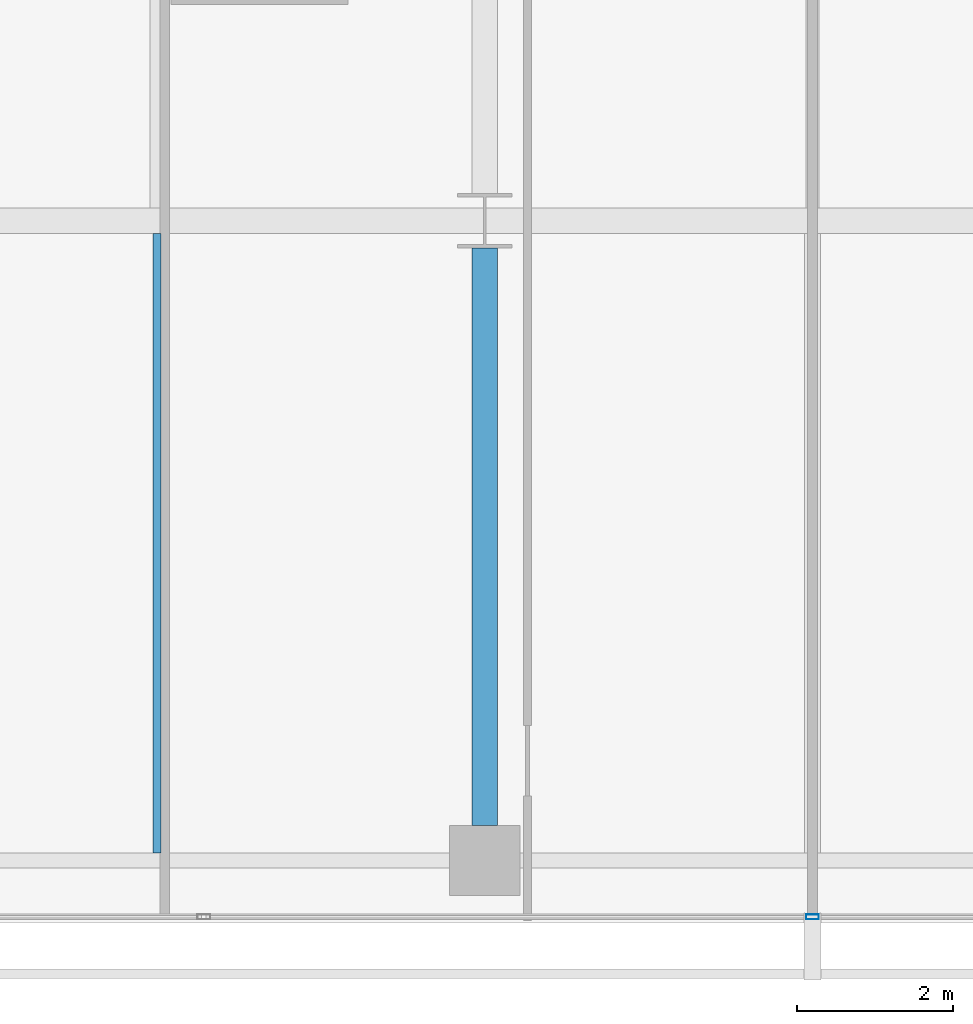
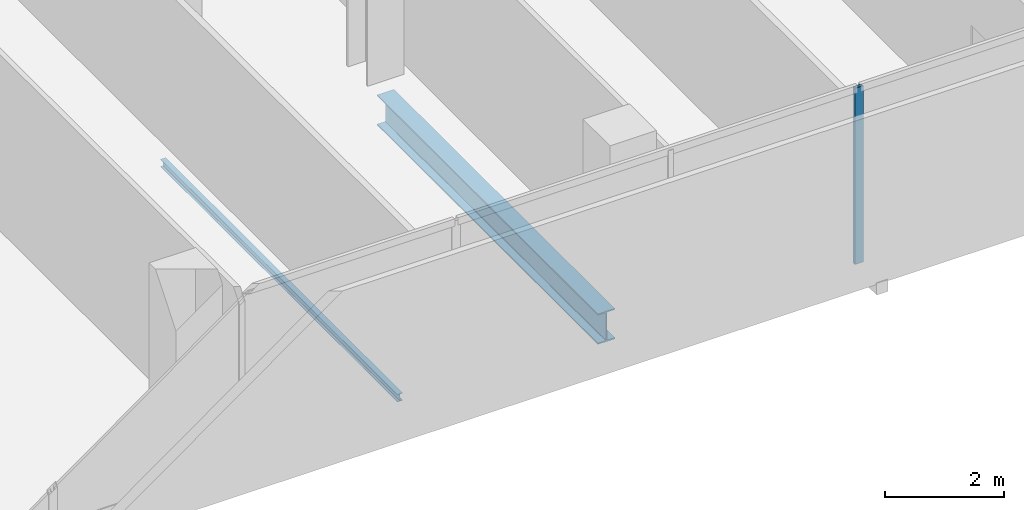
# One storey, part 8 of 40: 2 beams, 1 member, 1 element without a shape of its own.
"""IFC4 building model written with IfcOpenShell, lengths in metres."""

from ifc_helpers import new_model, si_unit, direction, frame, origin, origin_2d, place, context, subcontext, project, spatial, hollow_rectangle, i_section, extrude, material, layer, layer_set, material_profile, profile_set, type_object, element, aggregate, save


model = new_model("IFC4")

# Units and contexts
model_context = context("Model", 3, precision=1e-05, world=origin(), true_north=direction((0.0, 1.0)))
body_context = subcontext(model_context, "Body", "Model", "MODEL_VIEW")
ifc_project = project(units=[si_unit("LENGTHUNIT", "METRE"), si_unit("AREAUNIT", "SQUARE_METRE"), si_unit("VOLUMEUNIT", "CUBIC_METRE"), si_unit("PLANEANGLEUNIT", "RADIAN"), si_unit("MASSUNIT", "GRAM", prefix="KILO")], contexts=[model_context])

# Site, building, storey
site_placement = place(None, origin())
site = spatial("IfcSite", under=ifc_project, at=site_placement, CompositionType="ELEMENT")
building_placement = place(site_placement, origin())
building = spatial("IfcBuilding", under=site, at=building_placement, Name="Maruvema Waterfront Hotel and Observation Tower", CompositionType="ELEMENT")
storey_placement = place(building_placement, frame((0.0, 0.0, 42.35009765625)))
storey = spatial("IfcBuildingStorey", under=building, at=storey_placement, Name="L09", CompositionType="ELEMENT", Elevation=42.35009765625)

# Curtain wall, member
ifc_material_1 = material(Name="Anodised bronze aluminium and solar-control low-E IGU", Category="aluminium")
ifc_layer = layer(ifc_material_1, 0.159912109375, Name="Zone 1 Bronze Inner Thermal Curtain Wall System CW-02")
ifc_layer_set = layer_set([ifc_layer], Name="Anodised bronze aluminium and solar-control low-E IGU")
curtain_wall_type = type_object("IfcCurtainWallType", Name="Zone 1 Bronze Inner Thermal Curtain Wall System CW-02", PredefinedType="USERDEFINED", material=ifc_layer_set)
curtain_wall_placement = place(storey_placement, origin())
curtain_wall = element("IfcCurtainWall", 1, at=curtain_wall_placement, inside=storey, type_object=curtain_wall_type, Name="L09 Curtain Wall CW-L09-S", ObjectType="UNITISED CURTAIN WALL", PredefinedType="USERDEFINED")
ifc_material_2 = material(Name="Anodised architectural bronze aluminium", Category="aluminium")
ifc_material_profile_1 = material_profile(ifc_material_2, hollow_rectangle(XDim=0.06494140625, YDim=0.1650390625, WallThickness=0.00390625, at=origin_2d()), Name="ALU-M65x165")
ifc_profile_set_1 = profile_set([ifc_material_profile_1], Name="Anodised architectural bronze aluminium")
member_type = type_object("IfcMemberType", Name="Curtain Wall Primary Mullion ALU-M65x165", PredefinedType="MULLION", material=ifc_profile_set_1)
member_placement = place(storey_placement, frame((37.800048828125, 0.080078125, 0.0), z_axis=(0.0, 0.0, 1.0), x_axis=(0.0, 1.0, 0.0)))
member = element("IfcMember", 2, at=member_placement, type_object=member_type, Name="CW-02 mullion 4", PredefinedType="MULLION", context=body_context, shape_type="SweptSolid", body=[
    extrude(hollow_rectangle(XDim=0.06494140625, YDim=0.1650390625, WallThickness=0.00390625, at=origin_2d()), origin(), (0.0, 0.0, 1.0), 3.60986328125),
])
aggregate(curtain_wall, [member])

# Beams
ifc_material_3 = material(Name="Steel ASTM A572 Grade 50", Category="steel")
ifc_material_profile_2 = material_profile(ifc_material_3, i_section(OverallWidth=0.326904296875, OverallDepth=0.6220703125, WebThickness=0.015380859375, FlangeThickness=0.0244140625, FilletRadius=0.01806640625, at=origin_2d()), Name="W610x195.0")
ifc_profile_set_2 = profile_set([ifc_material_profile_2], Name="Steel ASTM A572 Grade 50")
beam_type_1 = type_object("IfcBeamType", Name="Primary Floor Girder W610x195.0", PredefinedType="BEAM", material=ifc_profile_set_2)
beam_1_placement = place(storey_placement, frame((33.60009765625, 1.25, -0.551025390625), z_axis=(0.0, 1.0, 0.0), x_axis=(-1.0, 0.0, 0.0)))
element("IfcBeam", 3, at=beam_1_placement, inside=storey, type_object=beam_type_1, Name="L09 Floor Girder NS-16", PredefinedType="BEAM", context=body_context, shape_type="SweptSolid", body=[
    extrude(i_section(OverallWidth=0.326904296875, OverallDepth=0.6220703125, WebThickness=0.015380859375, FlangeThickness=0.0244140625, FilletRadius=0.01806640625, at=origin_2d()), origin(), (0.0, 0.0, 1.0), 7.39990234375),
])
ifc_material_4 = material(Name="Steel ASTM A572 Grade 50", Category="steel")
ifc_material_profile_3 = material_profile(ifc_material_4, i_section(OverallWidth=0.10009765625, OverallDepth=0.153076171875, WebThickness=0.005859375, FlangeThickness=0.007080078125, FilletRadius=0.008056640625, at=origin_2d()), Name="W150x18.0")
ifc_profile_set_3 = profile_set([ifc_material_profile_3], Name="Steel ASTM A572 Grade 50")
beam_type_2 = type_object("IfcBeamType", Name="Secondary Floor Joist W150x18.0", PredefinedType="JOIST", material=ifc_profile_set_3)
beam_2_placement = place(storey_placement, frame((29.39990234375, 0.89501953125, -0.316650390625), z_axis=(0.0, 1.0, 0.0), x_axis=(-1.0, 0.0, 0.0)))
element("IfcBeam", 4, at=beam_2_placement, inside=storey, type_object=beam_type_2, Name="L09 Secondary Floor Joist JS-10", PredefinedType="JOIST", context=body_context, shape_type="SweptSolid", body=[
    extrude(i_section(OverallWidth=0.10009765625, OverallDepth=0.153076171875, WebThickness=0.005859375, FlangeThickness=0.007080078125, FilletRadius=0.008056640625, at=origin_2d()), origin(), (0.0, 0.0, 1.0), 7.94140625),
])

save(model, "model.ifc")
